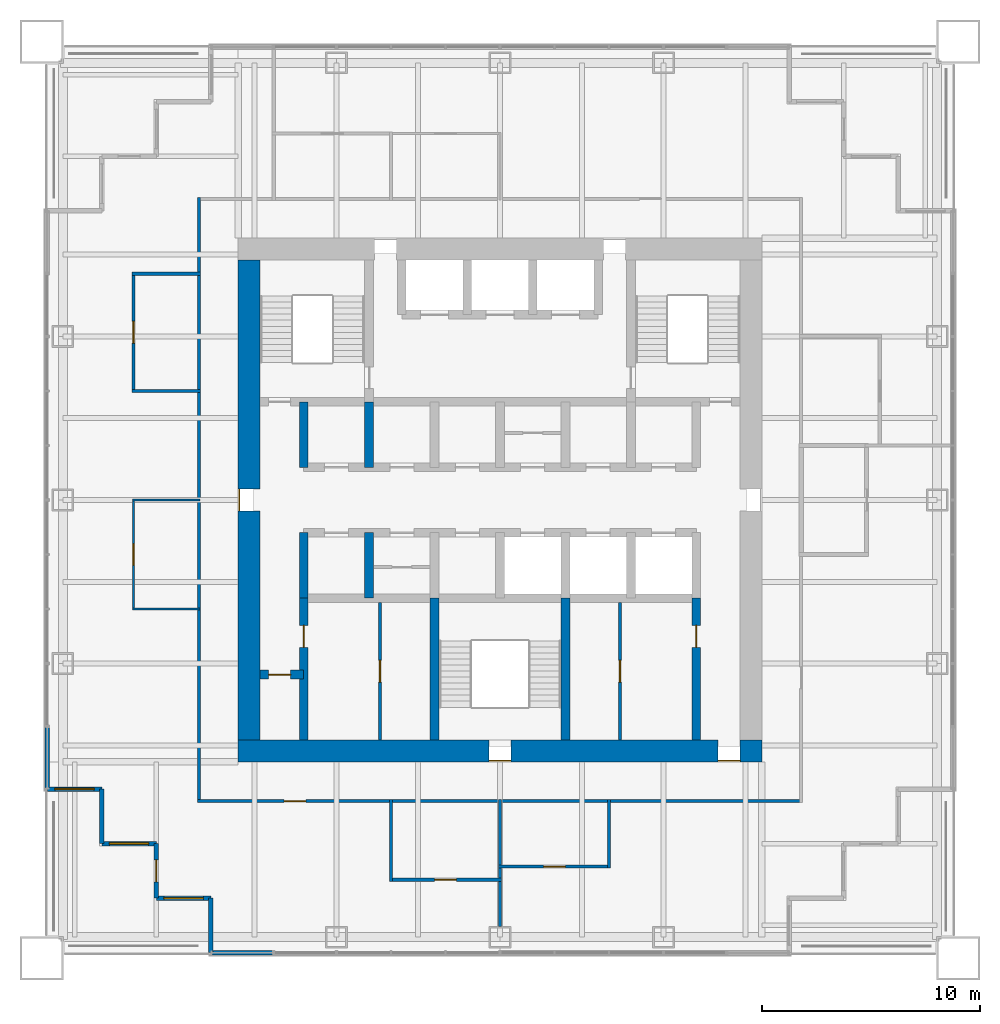
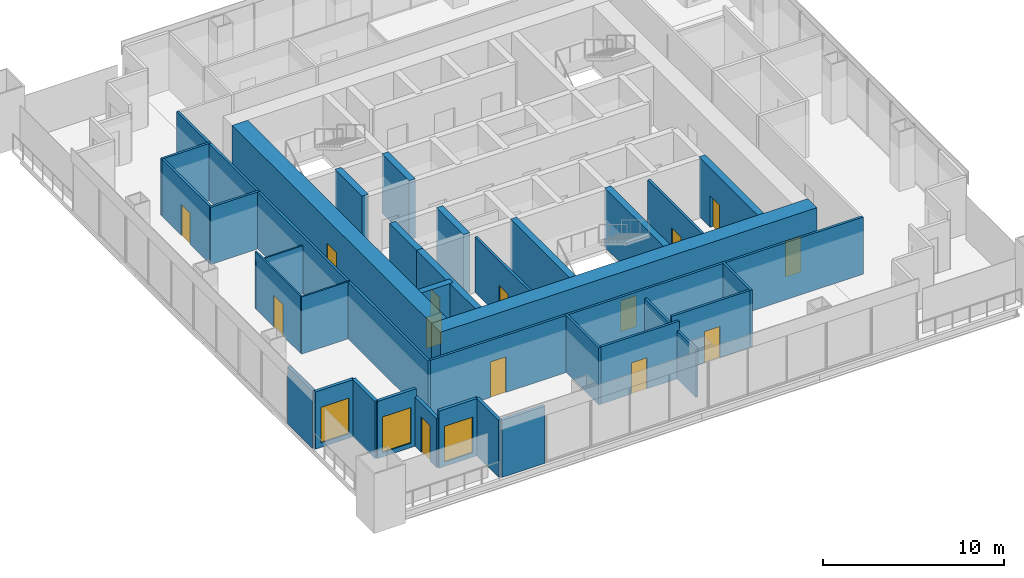
# One storey, part 9 of 14: 34 walls, 14 doors, 3 windows, 17 openings.
"""IFC4 building model written with IfcOpenShell, lengths in metres."""

from ifc_helpers import new_model, si_unit, direction, frame, frame_2d, origin, place, context, subcontext, project, spatial, rectangle, extrude, material, layer, layer_set, type_object, element, fill, save


model = new_model("IFC4")

# Units and contexts
model_context = context("Model", 3, precision=1e-05, world=origin(), true_north=direction((0.0, 1.0)))
body_context = subcontext(model_context, "Body", "Model", "MODEL_VIEW")
ifc_project = project(units=[si_unit("LENGTHUNIT", "METRE"), si_unit("AREAUNIT", "SQUARE_METRE"), si_unit("VOLUMEUNIT", "CUBIC_METRE"), si_unit("PLANEANGLEUNIT", "RADIAN"), si_unit("MASSUNIT", "GRAM", prefix="KILO")], contexts=[model_context])

# Site, building, storey
site_placement = place(None, origin())
site = spatial("IfcSite", under=ifc_project, at=site_placement, CompositionType="ELEMENT")
building_placement = place(site_placement, origin())
building = spatial("IfcBuilding", under=site, at=building_placement, Name="Tarangal Relay Tower", CompositionType="ELEMENT")
storey_placement = place(building_placement, frame((0.0, 0.0, 263.89990234375)))
storey = spatial("IfcBuildingStorey", under=building, at=storey_placement, Name="L57", CompositionType="ELEMENT", Elevation=263.89990234375)

# Wall, opening, door
ifc_material_1 = material(Name="Concrete fc' 60 MPa", Category="concrete")
ifc_layer_1 = layer(ifc_material_1, 0.39990234375)
ifc_layer_set_1 = layer_set([ifc_layer_1], Name="Core inner wall 400")
wall_type_1 = type_object("IfcWallType", Name="Core inner wall 400", PredefinedType="SHEAR", material=ifc_layer_set_1)
wall_1_placement = place(storey_placement, frame((-11.0, -8.0, 0.0), z_axis=(0.0, 0.0, 1.0), x_axis=(1.0, 0.0, 0.0)))
wall_1 = element("IfcWall", 1, at=wall_1_placement, inside=storey, type_object=wall_type_1, Name="Core wall YM8 L57", PredefinedType="SHEAR", context=body_context, shape_type="SweptSolid", body=[
    extrude(rectangle(XDim=2.0, YDim=0.39990234375, at=frame_2d((1.0, 0.0))), origin(), (0.0, 0.0, 1.0), 4.0),
])
opening_1_placement = place(wall_1_placement, frame((0.39990234375, 0.0, 0.0)))
opening_1 = element("IfcOpeningElement", 2, at=opening_1_placement, cuts=wall_1, Name="Opening D1", PredefinedType="OPENING", context=body_context, shape_type="SweptSolid", body=[
    extrude(rectangle(XDim=1.0, YDim=2.10009765625, at=frame_2d((0.5, 1.050048828125))), frame((0.0, 0.2099609375, 0.0), z_axis=(0.0, -1.0, 0.0), x_axis=(1.0, 0.0, 0.0)), (0.0, 0.0, 1.0), 0.419921875),
])
ifc_material_2 = material(Name="Hardwood door", Category="wood")
door_type_1 = type_object("IfcDoorType", Name="WC door 1000 x 2100", OperationType="SINGLE_SWING_LEFT", PredefinedType="DOOR", material=ifc_material_2)
door_1_placement = place(opening_1_placement, origin())
door_1 = element("IfcDoor", 3, at=door_1_placement, inside=storey, type_object=door_type_1, Name="Accessible WC door L57", OperationType="SINGLE_SWING_LEFT", OverallHeight=2.10009765625, OverallWidth=1.0, PredefinedType="DOOR", context=body_context, shape_type="SweptSolid", body=[
    extrude(rectangle(XDim=1.0, YDim=2.10009765625, at=frame_2d((0.5, 1.050048828125))), frame((0.0, 0.02490234375, 0.0), z_axis=(0.0, -1.0, 0.0), x_axis=(1.0, 0.0, 0.0)), (0.0, 0.0, 1.0), 0.050048828125),
])
fill(opening_1, door_1)

# Walls
for number, where, z_axis, x_axis, name in (
    (4, (-9.0, 1.5, 0.0), (0.0, 0.0, 1.0), (0.0, 1.0, 0.0), "Core wall XM9N L57"),
    (5, (-9.0, -4.5, 0.0), (0.0, 0.0, 1.0), (0.0, 1.0, 0.0), "Core wall XM9S L57"),
    (6, (-6.0, 1.5, 0.0), (0.0, 0.0, 1.0), (0.0, 1.0, 0.0), "Core wall XM6N L57"),
    (7, (-6.0, -4.5, 0.0), (0.0, 0.0, 1.0), (0.0, 1.0, 0.0), "Core wall XM6S L57"),
):
    element("IfcWall", number, at=place(storey_placement, frame(where, z_axis=z_axis, x_axis=x_axis)), inside=storey, type_object=wall_type_1, Name=name, PredefinedType="SHEAR", context=body_context, shape_type="SweptSolid", body=[
        extrude(rectangle(XDim=3.0, YDim=0.39990234375, at=frame_2d((1.5, 0.0))), origin(), (0.0, 0.0, 1.0), 4.0),
    ])

# Wall, opening, door
wall_2_placement = place(storey_placement, frame((-9.0, -11.0, 0.0), z_axis=(0.0, 0.0, 1.0), x_axis=(0.0, 1.0, 0.0)))
wall_2 = element("IfcWall", 8, at=wall_2_placement, inside=storey, type_object=wall_type_1, Name="Core wall XM9W L57", PredefinedType="SHEAR", context=body_context, shape_type="SweptSolid", body=[
    extrude(rectangle(XDim=6.5, YDim=0.39990234375, at=frame_2d((3.25, 0.0))), origin(), (0.0, 0.0, 1.0), 4.0),
])
opening_2_placement = place(wall_2_placement, frame((4.25, 0.0, 0.0)))
opening_2 = element("IfcOpeningElement", 9, at=opening_2_placement, cuts=wall_2, Name="Opening D1", PredefinedType="OPENING", context=body_context, shape_type="SweptSolid", body=[
    extrude(rectangle(XDim=1.0, YDim=2.10009765625, at=frame_2d((0.5, 1.050048828125))), frame((0.0, 0.2099609375, 0.0), z_axis=(0.0, -1.0, 0.0), x_axis=(1.0, 0.0, 0.0)), (0.0, 0.0, 1.0), 0.419921875),
])
door_2_placement = place(opening_2_placement, origin())
door_2 = element("IfcDoor", 10, at=door_2_placement, inside=storey, type_object=door_type_1, Name="Male WC door L57", OperationType="SINGLE_SWING_LEFT", OverallHeight=2.10009765625, OverallWidth=1.0, PredefinedType="DOOR", context=body_context, shape_type="SweptSolid", body=[
    extrude(rectangle(XDim=1.0, YDim=2.10009765625, at=frame_2d((0.5, 1.050048828125))), frame((0.0, 0.02490234375, 0.0), z_axis=(0.0, -1.0, 0.0), x_axis=(1.0, 0.0, 0.0)), (0.0, 0.0, 1.0), 0.050048828125),
])
fill(opening_2, door_2)

wall_3_placement = place(storey_placement, frame((9.0, -11.0, 0.0), z_axis=(0.0, 0.0, 1.0), x_axis=(0.0, 1.0, 0.0)))
wall_3 = element("IfcWall", 11, at=wall_3_placement, inside=storey, type_object=wall_type_1, Name="Core wall X9W L57", PredefinedType="SHEAR", context=body_context, shape_type="SweptSolid", body=[
    extrude(rectangle(XDim=6.5, YDim=0.39990234375, at=frame_2d((3.25, 0.0))), origin(), (0.0, 0.0, 1.0), 4.0),
])
opening_3_placement = place(wall_3_placement, frame((4.25, 0.0, 0.0)))
opening_3 = element("IfcOpeningElement", 12, at=opening_3_placement, cuts=wall_3, Name="Opening D1", PredefinedType="OPENING", context=body_context, shape_type="SweptSolid", body=[
    extrude(rectangle(XDim=1.0, YDim=2.10009765625, at=frame_2d((0.5, 1.050048828125))), frame((0.0, 0.2099609375, 0.0), z_axis=(0.0, -1.0, 0.0), x_axis=(1.0, 0.0, 0.0)), (0.0, 0.0, 1.0), 0.419921875),
])
door_3_placement = place(opening_3_placement, origin())
door_3 = element("IfcDoor", 13, at=door_3_placement, inside=storey, type_object=door_type_1, Name="Female WC door L57", OperationType="SINGLE_SWING_LEFT", OverallHeight=2.10009765625, OverallWidth=1.0, PredefinedType="DOOR", context=body_context, shape_type="SweptSolid", body=[
    extrude(rectangle(XDim=1.0, YDim=2.10009765625, at=frame_2d((0.5, 1.050048828125))), frame((0.0, 0.02490234375, 0.0), z_axis=(0.0, -1.0, 0.0), x_axis=(1.0, 0.0, 0.0)), (0.0, 0.0, 1.0), 0.050048828125),
])
fill(opening_3, door_3)

# Walls
for number, where, z_axis, x_axis, name in (
    (14, (-3.0, -11.0, 0.0), (0.0, 0.0, 1.0), (0.0, 1.0, 0.0), "Core wall XM3W L57"),
    (15, (3.0, -11.0, 0.0), (0.0, 0.0, 1.0), (0.0, 1.0, 0.0), "Core wall X3W L57"),
):
    element("IfcWall", number, at=place(storey_placement, frame(where, z_axis=z_axis, x_axis=x_axis)), inside=storey, type_object=wall_type_1, Name=name, PredefinedType="SHEAR", context=body_context, shape_type="SweptSolid", body=[
        extrude(rectangle(XDim=6.5, YDim=0.39990234375, at=frame_2d((3.25, 0.0))), origin(), (0.0, 0.0, 1.0), 4.0),
    ])

# Wall, openings, doors
ifc_layer_2 = layer(ifc_material_1, 1.0)
ifc_layer_set_2 = layer_set([ifc_layer_2], Name="Core wall 1000")
wall_type_2 = type_object("IfcWallType", Name="Core wall 1000", PredefinedType="SHEAR", material=ifc_layer_set_2)
wall_4_placement = place(storey_placement, frame((12.0, -11.5, 0.0), z_axis=(0.0, 0.0, 1.0), x_axis=(-1.0, 0.0, 0.0)))
wall_4 = element("IfcWall", 16, at=wall_4_placement, inside=storey, type_object=wall_type_2, Name="Core wall S L57", PredefinedType="SHEAR", context=body_context, shape_type="SweptSolid", body=[
    extrude(rectangle(XDim=24.0, YDim=1.0, at=frame_2d((12.0, 0.0))), origin(), (0.0, 0.0, 1.0), 4.0),
])
opening_4_placement = place(wall_4_placement, frame((11.5, 0.0, 0.0)))
opening_4 = element("IfcOpeningElement", 17, at=opening_4_placement, cuts=wall_4, Name="Opening FD1", PredefinedType="OPENING", context=body_context, shape_type="SweptSolid", body=[
    extrude(rectangle(XDim=1.0, YDim=2.10009765625, at=frame_2d((0.5, 1.050048828125))), frame((0.0, 0.510009765625, 0.0), z_axis=(0.0, -1.0, 0.0), x_axis=(1.0, 0.0, 0.0)), (0.0, 0.0, 1.0), 1.02001953125),
])
opening_5_placement = place(wall_4_placement, frame((1.0, 0.0, 0.0)))
opening_5 = element("IfcOpeningElement", 18, at=opening_5_placement, cuts=wall_4, Name="Opening FD3", PredefinedType="OPENING", context=body_context, shape_type="SweptSolid", body=[
    extrude(rectangle(XDim=1.0, YDim=2.39990234375, at=frame_2d((0.5, 1.199951171875))), frame((0.0, 0.510009765625, 0.0), z_axis=(0.0, -1.0, 0.0), x_axis=(1.0, 0.0, 0.0)), (0.0, 0.0, 1.0), 1.02001953125),
])
ifc_material_3 = material(Name="Steel door with hardwood frame", Category="steel")
door_type_2 = type_object("IfcDoorType", Name="Fire door 1000 x 2100", OperationType="SINGLE_SWING_LEFT", PredefinedType="DOOR", material=ifc_material_3)
door_4_placement = place(opening_4_placement, origin())
door_4 = element("IfcDoor", 19, at=door_4_placement, inside=storey, type_object=door_type_2, Name="Stair ST-C door L57", OperationType="SINGLE_SWING_LEFT", OverallHeight=2.10009765625, OverallWidth=1.0, PredefinedType="DOOR", context=body_context, shape_type="SweptSolid", body=[
    extrude(rectangle(XDim=1.0, YDim=2.10009765625, at=frame_2d((0.5, 1.050048828125))), frame((0.0, 0.48486328125, 0.0), z_axis=(0.0, -1.0, 0.0), x_axis=(1.0, 0.0, 0.0)), (0.0, 0.0, 1.0), 0.050048828125),
])
fill(opening_4, door_4)
door_type_3 = type_object("IfcDoorType", Name="Fire door 1000 x 2400 core entry", OperationType="SINGLE_SWING_RIGHT", PredefinedType="DOOR", material=ifc_material_3)
door_5_placement = place(opening_5_placement, origin())
door_5 = element("IfcDoor", 20, at=door_5_placement, inside=storey, type_object=door_type_3, Name="Core entry door south east L57", OperationType="SINGLE_SWING_RIGHT", OverallHeight=2.39990234375, OverallWidth=1.0, PredefinedType="DOOR", context=body_context, shape_type="SweptSolid", body=[
    extrude(rectangle(XDim=1.0, YDim=2.39990234375, at=frame_2d((0.5, 1.199951171875))), frame((0.0, 0.48486328125, 0.0), z_axis=(0.0, -1.0, 0.0), x_axis=(1.0, 0.0, 0.0)), (0.0, 0.0, 1.0), 0.050048828125),
])
fill(opening_5, door_5)

# Wall, opening, door
wall_5_placement = place(storey_placement, frame((-11.5, -11.0, 0.0), z_axis=(0.0, 0.0, 1.0), x_axis=(0.0, 1.0, 0.0)))
wall_5 = element("IfcWall", 21, at=wall_5_placement, inside=storey, type_object=wall_type_2, Name="Core wall W L57", PredefinedType="SHEAR", context=body_context, shape_type="SweptSolid", body=[
    extrude(rectangle(XDim=22.0, YDim=1.0, at=frame_2d((11.0, 0.0))), origin(), (0.0, 0.0, 1.0), 4.0),
])
opening_6_placement = place(wall_5_placement, frame((10.5, 0.0, 0.0)))
opening_6 = element("IfcOpeningElement", 22, at=opening_6_placement, cuts=wall_5, Name="Opening FD3", PredefinedType="OPENING", context=body_context, shape_type="SweptSolid", body=[
    extrude(rectangle(XDim=1.0, YDim=2.39990234375, at=frame_2d((0.5, 1.199951171875))), frame((0.0, 0.510009765625, 0.0), z_axis=(0.0, -1.0, 0.0), x_axis=(1.0, 0.0, 0.0)), (0.0, 0.0, 1.0), 1.02001953125),
])
door_6_placement = place(opening_6_placement, origin())
door_6 = element("IfcDoor", 23, at=door_6_placement, inside=storey, type_object=door_type_3, Name="Core entry door west L57", OperationType="SINGLE_SWING_RIGHT", OverallHeight=2.39990234375, OverallWidth=1.0, PredefinedType="DOOR", context=body_context, shape_type="SweptSolid", body=[
    extrude(rectangle(XDim=1.0, YDim=2.39990234375, at=frame_2d((0.5, 1.199951171875))), frame((0.0, 0.48486328125, 0.0), z_axis=(0.0, -1.0, 0.0), x_axis=(1.0, 0.0, 0.0)), (0.0, 0.0, 1.0), 0.050048828125),
])
fill(opening_6, door_6)

# Wall
ifc_material_4 = material(Name="Black metal clad insulated wall", Category="steel")
ifc_layer_3 = layer(ifc_material_4, 0.199951171875)
ifc_layer_set_3 = layer_set([ifc_layer_3], Name="Corner wall metal clad 200")
wall_type_3 = type_object("IfcWallType", Name="Corner wall metal clad 200", PredefinedType="SOLIDWALL", material=ifc_layer_set_3)
wall_6_placement = place(storey_placement, frame((-13.25, -20.75, 0.0), z_axis=(0.0, 0.0, 1.0), x_axis=(0.0, 1.0, 0.0)))
element("IfcWall", 24, at=wall_6_placement, inside=storey, type_object=wall_type_3, Name="Facade wall S facade L57", PredefinedType="SOLIDWALL", context=body_context, shape_type="SweptSolid", body=[
    extrude(rectangle(XDim=2.5, YDim=0.199951171875, at=frame_2d((1.25, 0.0))), origin(), (0.0, 0.0, 1.0), 3.85009765625),
])

# Wall, opening, window
wall_7_placement = place(storey_placement, frame((-13.25, -18.25, 0.0), z_axis=(0.0, 0.0, 1.0), x_axis=(-1.0, 0.0, 0.0)))
wall_7 = element("IfcWall", 25, at=wall_7_placement, inside=storey, type_object=wall_type_3, Name="Facade wall S facade L57", PredefinedType="SOLIDWALL", context=body_context, shape_type="SweptSolid", body=[
    extrude(rectangle(XDim=2.5, YDim=0.199951171875, at=frame_2d((1.25, 0.0))), origin(), (0.0, 0.0, 1.0), 3.85009765625),
])
opening_7_placement = place(wall_7_placement, frame((0.35009765625, 0.0, 0.300048828125)))
opening_7 = element("IfcOpeningElement", 26, at=opening_7_placement, cuts=wall_7, Name="Opening WN2", PredefinedType="OPENING", context=body_context, shape_type="SweptSolid", body=[
    extrude(rectangle(XDim=1.800048828125, YDim=2.39990234375, at=frame_2d((0.89990234375, 1.199951171875))), frame((0.0, 0.10986328125, 0.0), z_axis=(0.0, -1.0, 0.0), x_axis=(1.0, 0.0, 0.0)), (0.0, 0.0, 1.0), 0.219970703125),
])
ifc_material_5 = material(Name="Dark tinted double glazing in black aluminium frame", Category="aluminium")
window_type = type_object("IfcWindowType", Name="Corner window 1800 x 2400", PartitioningType="SINGLE_PANEL", PredefinedType="WINDOW", material=ifc_material_5)
window_1_placement = place(opening_7_placement, origin())
window_1 = element("IfcWindow", 27, at=window_1_placement, inside=storey, type_object=window_type, Name="Corner window WN2 S facade L57", OverallHeight=2.39990234375, OverallWidth=1.800048828125, PartitioningType="SINGLE_PANEL", PredefinedType="WINDOW", context=body_context, shape_type="SweptSolid", body=[
    extrude(rectangle(XDim=1.800048828125, YDim=2.39990234375, at=frame_2d((0.89990234375, 1.199951171875))), frame((0.0, 0.030029296875, 0.0), z_axis=(0.0, -1.0, 0.0), x_axis=(1.0, 0.0, 0.0)), (0.0, 0.0, 1.0), 0.06005859375),
])
fill(opening_7, window_1)

# Wall, opening, door
wall_8_placement = place(storey_placement, frame((-15.75, -18.25, 0.0), z_axis=(0.0, 0.0, 1.0), x_axis=(0.0, 1.0, 0.0)))
wall_8 = element("IfcWall", 28, at=wall_8_placement, inside=storey, type_object=wall_type_3, Name="Facade wall S facade L57", PredefinedType="SOLIDWALL", context=body_context, shape_type="SweptSolid", body=[
    extrude(rectangle(XDim=2.5, YDim=0.199951171875, at=frame_2d((1.25, 0.0))), origin(), (0.0, 0.0, 1.0), 3.316650390625),
])
opening_8_placement = place(wall_8_placement, frame((0.75, 0.0, 0.0)))
opening_8 = element("IfcOpeningElement", 29, at=opening_8_placement, cuts=wall_8, Name="Opening TD1", PredefinedType="OPENING", context=body_context, shape_type="SweptSolid", body=[
    extrude(rectangle(XDim=1.0, YDim=2.39990234375, at=frame_2d((0.5, 1.199951171875))), frame((0.0, 0.10986328125, 0.0), z_axis=(0.0, -1.0, 0.0), x_axis=(1.0, 0.0, 0.0)), (0.0, 0.0, 1.0), 0.219970703125),
])
ifc_material_6 = material(Name="Aluminium glazed door", Category="aluminium")
door_type_4 = type_object("IfcDoorType", Name="Terrace door 1000 x 2400", OperationType="SINGLE_SWING_RIGHT", PredefinedType="DOOR", material=ifc_material_6)
door_7_placement = place(opening_8_placement, origin())
door_7 = element("IfcDoor", 30, at=door_7_placement, inside=storey, type_object=door_type_4, Name="Terrace door TD1 SW L57", OperationType="SINGLE_SWING_RIGHT", OverallHeight=2.39990234375, OverallWidth=1.0, PredefinedType="DOOR", context=body_context, shape_type="SweptSolid", body=[
    extrude(rectangle(XDim=1.0, YDim=2.39990234375, at=frame_2d((0.5, 1.199951171875))), frame((0.0, 0.02490234375, 0.0), z_axis=(0.0, -1.0, 0.0), x_axis=(1.0, 0.0, 0.0)), (0.0, 0.0, 1.0), 0.050048828125),
])
fill(opening_8, door_7)

# Wall, opening, window
wall_9_placement = place(storey_placement, frame((-15.75, -15.75, 0.0), z_axis=(0.0, 0.0, 1.0), x_axis=(-1.0, 0.0, 0.0)))
wall_9 = element("IfcWall", 31, at=wall_9_placement, inside=storey, type_object=wall_type_3, Name="Facade wall S facade L57", PredefinedType="SOLIDWALL", context=body_context, shape_type="SweptSolid", body=[
    extrude(rectangle(XDim=2.5, YDim=0.199951171875, at=frame_2d((1.25, 0.0))), origin(), (0.0, 0.0, 1.0), 3.85009765625),
])
opening_9_placement = place(wall_9_placement, frame((0.35009765625, 0.0, 0.300048828125)))
opening_9 = element("IfcOpeningElement", 32, at=opening_9_placement, cuts=wall_9, Name="Opening WN2", PredefinedType="OPENING", context=body_context, shape_type="SweptSolid", body=[
    extrude(rectangle(XDim=1.800048828125, YDim=2.39990234375, at=frame_2d((0.89990234375, 1.199951171875))), frame((0.0, 0.10986328125, 0.0), z_axis=(0.0, -1.0, 0.0), x_axis=(1.0, 0.0, 0.0)), (0.0, 0.0, 1.0), 0.219970703125),
])
window_2_placement = place(opening_9_placement, origin())
window_2 = element("IfcWindow", 33, at=window_2_placement, inside=storey, type_object=window_type, Name="Corner window WN2 S facade L57", OverallHeight=2.39990234375, OverallWidth=1.800048828125, PartitioningType="SINGLE_PANEL", PredefinedType="WINDOW", context=body_context, shape_type="SweptSolid", body=[
    extrude(rectangle(XDim=1.800048828125, YDim=2.39990234375, at=frame_2d((0.89990234375, 1.199951171875))), frame((0.0, 0.030029296875, 0.0), z_axis=(0.0, -1.0, 0.0), x_axis=(1.0, 0.0, 0.0)), (0.0, 0.0, 1.0), 0.06005859375),
])
fill(opening_9, window_2)

# Wall
wall_10_placement = place(storey_placement, frame((-18.25, -15.75, 0.0), z_axis=(0.0, 0.0, 1.0), x_axis=(0.0, 1.0, 0.0)))
element("IfcWall", 34, at=wall_10_placement, inside=storey, type_object=wall_type_3, Name="Facade wall S facade L57", PredefinedType="SOLIDWALL", context=body_context, shape_type="SweptSolid", body=[
    extrude(rectangle(XDim=2.5, YDim=0.199951171875, at=frame_2d((1.25, 0.0))), origin(), (0.0, 0.0, 1.0), 3.85009765625),
])

# Wall, opening, window
wall_11_placement = place(storey_placement, frame((-18.25, -13.25, 0.0), z_axis=(0.0, 0.0, 1.0), x_axis=(-1.0, 0.0, 0.0)))
wall_11 = element("IfcWall", 35, at=wall_11_placement, inside=storey, type_object=wall_type_3, Name="Facade wall S facade L57", PredefinedType="SOLIDWALL", context=body_context, shape_type="SweptSolid", body=[
    extrude(rectangle(XDim=2.5, YDim=0.199951171875, at=frame_2d((1.25, 0.0))), origin(), (0.0, 0.0, 1.0), 3.85009765625),
])
opening_10_placement = place(wall_11_placement, frame((0.35009765625, 0.0, 0.300048828125)))
opening_10 = element("IfcOpeningElement", 36, at=opening_10_placement, cuts=wall_11, Name="Opening WN2", PredefinedType="OPENING", context=body_context, shape_type="SweptSolid", body=[
    extrude(rectangle(XDim=1.800048828125, YDim=2.39990234375, at=frame_2d((0.89990234375, 1.199951171875))), frame((0.0, 0.10986328125, 0.0), z_axis=(0.0, -1.0, 0.0), x_axis=(1.0, 0.0, 0.0)), (0.0, 0.0, 1.0), 0.219970703125),
])
window_3_placement = place(opening_10_placement, origin())
window_3 = element("IfcWindow", 37, at=window_3_placement, inside=storey, type_object=window_type, Name="Corner window WN2 S facade L57", OverallHeight=2.39990234375, OverallWidth=1.800048828125, PartitioningType="SINGLE_PANEL", PredefinedType="WINDOW", context=body_context, shape_type="SweptSolid", body=[
    extrude(rectangle(XDim=1.800048828125, YDim=2.39990234375, at=frame_2d((0.89990234375, 1.199951171875))), frame((0.0, 0.030029296875, 0.0), z_axis=(0.0, -1.0, 0.0), x_axis=(1.0, 0.0, 0.0)), (0.0, 0.0, 1.0), 0.06005859375),
])
fill(opening_10, window_3)

# Walls
ifc_layer_4 = layer(ifc_material_4, 0.199951171875)
ifc_layer_set_4 = layer_set([ifc_layer_4], Name="Facade infill wall metal clad 200")
wall_type_4 = type_object("IfcWallType", Name="Facade infill wall metal clad 200", PredefinedType="SOLIDWALL", material=ifc_layer_set_4)
for number, where, z_axis, x_axis, name in (
    (38, (-10.43505859375, -20.75, 0.0), (0.0, 0.0, 1.0), (-1.0, 0.0, 0.0), "Facade infill wall S facade L57 1.1"),
    (39, (-20.75, -13.18994140625, 0.0), (0.0, 0.0, 1.0), (0.0, 1.0, 0.0), "Facade infill wall W facade L57 1.1"),
):
    element("IfcWall", number, at=place(storey_placement, frame(where, z_axis=z_axis, x_axis=x_axis)), inside=storey, type_object=wall_type_4, Name=name, PredefinedType="SOLIDWALL", context=body_context, shape_type="SweptSolid", body=[
        extrude(rectangle(XDim=2.7548828125, YDim=0.199951171875, at=frame_2d((1.37744140625, 0.0))), origin(), (0.0, 0.0, 1.0), 3.85009765625),
    ])
ifc_material_7 = material(Name="Double glazed aluminium framed partition", Category="aluminium")
ifc_layer_5 = layer(ifc_material_7, 0.10009765625)
ifc_layer_set_5 = layer_set([ifc_layer_5], Name="Glazed partition 100")
wall_type_5 = type_object("IfcWallType", Name="Glazed partition 100", PredefinedType="PARTITIONING", material=ifc_layer_set_5)
wall_12_placement = place(storey_placement, frame((-16.85009765625, -5.0, 0.0), z_axis=(0.0, 0.0, 1.0), x_axis=(1.0, 0.0, 0.0)))
element("IfcWall", 40, at=wall_12_placement, inside=storey, type_object=wall_type_5, Name="Partition PT3 L57", PredefinedType="PARTITIONING", context=body_context, shape_type="SweptSolid", body=[
    extrude(rectangle(XDim=3.10009765625, YDim=0.10009765625, at=frame_2d((1.550048828125, 0.0))), origin(), (0.0, 0.0, 1.0), 3.85009765625),
])
wall_13_placement = place(storey_placement, frame((-16.85009765625, 0.0, 0.0), z_axis=(0.0, 0.0, 1.0), x_axis=(1.0, 0.0, 0.0)))
element("IfcWall", 41, at=wall_13_placement, inside=storey, type_object=wall_type_5, Name="Partition PT3 L57", PredefinedType="PARTITIONING", context=body_context, shape_type="SweptSolid", body=[
    extrude(rectangle(XDim=3.10009765625, YDim=0.10009765625, at=frame_2d((1.550048828125, 0.0))), origin(), (0.0, 0.0, 1.0), 3.2431640625),
])

# Wall, opening, door
wall_14_placement = place(storey_placement, frame((-16.800048828125, -5.050048828125, 0.0), z_axis=(0.0, 0.0, 1.0), x_axis=(0.0, 1.0, 0.0)))
wall_14 = element("IfcWall", 42, at=wall_14_placement, inside=storey, type_object=wall_type_5, Name="Partition PT3 L57", PredefinedType="PARTITIONING", context=body_context, shape_type="SweptSolid", body=[
    extrude(rectangle(XDim=5.10009765625, YDim=0.10009765625, at=frame_2d((2.550048828125, 0.0))), origin(), (0.0, 0.0, 1.0), 3.85009765625),
])
opening_11_placement = place(wall_14_placement, frame((2.050048828125, 0.0, 0.0)))
opening_11 = element("IfcOpeningElement", 43, at=opening_11_placement, cuts=wall_14, Name="Opening D3", PredefinedType="OPENING", context=body_context, shape_type="SweptSolid", body=[
    extrude(rectangle(XDim=1.0, YDim=2.10009765625, at=frame_2d((0.5, 1.050048828125))), frame((0.0, 0.06005859375, 0.0), z_axis=(0.0, -1.0, 0.0), x_axis=(1.0, 0.0, 0.0)), (0.0, 0.0, 1.0), 0.1201171875),
])
ifc_material_8 = material(Name="Frameless glass door", Category="glass")
door_type_5 = type_object("IfcDoorType", Name="Glazed door 1000 x 2100", OperationType="SINGLE_SWING_LEFT", PredefinedType="DOOR", material=ifc_material_8)
door_8_placement = place(opening_11_placement, origin())
door_8 = element("IfcDoor", 44, at=door_8_placement, inside=storey, type_object=door_type_5, Name="Door D3 to meeting room L57-08", OperationType="SINGLE_SWING_LEFT", OverallHeight=2.10009765625, OverallWidth=1.0, PredefinedType="DOOR", context=body_context, shape_type="SweptSolid", body=[
    extrude(rectangle(XDim=1.0, YDim=2.10009765625, at=frame_2d((0.5, 1.050048828125))), frame((0.0, 0.02490234375, 0.0), z_axis=(0.0, -1.0, 0.0), x_axis=(1.0, 0.0, 0.0)), (0.0, 0.0, 1.0), 0.050048828125),
])
fill(opening_11, door_8)

ifc_material_9 = material(Name="Gypsum board on steel studs", Category="steel")
ifc_layer_6 = layer(ifc_material_9, 0.14990234375)
ifc_layer_set_6 = layer_set([ifc_layer_6], Name="Partition 150")
wall_type_6 = type_object("IfcWallType", Name="Partition 150", PredefinedType="PARTITIONING", material=ifc_layer_set_6)
wall_15_placement = place(storey_placement, frame((-5.074951171875, -17.39990234375, 0.0), z_axis=(0.0, 0.0, 1.0), x_axis=(1.0, 0.0, 0.0)))
wall_15 = element("IfcWall", 45, at=wall_15_placement, inside=storey, type_object=wall_type_6, Name="Partition PT1 L57", PredefinedType="PARTITIONING", context=body_context, shape_type="SweptSolid", body=[
    extrude(rectangle(XDim=5.14990234375, YDim=0.14990234375, at=frame_2d((2.574951171875, 0.0))), origin(), (0.0, 0.0, 1.0), 3.85009765625),
])
opening_12_placement = place(wall_15_placement, frame((2.074951171875, 0.0, 0.0)))
opening_12 = element("IfcOpeningElement", 46, at=opening_12_placement, cuts=wall_15, Name="Opening D2", PredefinedType="OPENING", context=body_context, shape_type="SweptSolid", body=[
    extrude(rectangle(XDim=1.0, YDim=2.10009765625, at=frame_2d((0.5, 1.050048828125))), frame((0.0, 0.0849609375, 0.0), z_axis=(0.0, -1.0, 0.0), x_axis=(1.0, 0.0, 0.0)), (0.0, 0.0, 1.0), 0.169921875),
])
door_type_6 = type_object("IfcDoorType", Name="Door 1000 x 2100", OperationType="SINGLE_SWING_LEFT", PredefinedType="DOOR", material=ifc_material_2)
door_9_placement = place(opening_12_placement, origin())
door_9 = element("IfcDoor", 47, at=door_9_placement, inside=storey, type_object=door_type_6, Name="Door D2 to tea pantry L57-07", OperationType="SINGLE_SWING_LEFT", OverallHeight=2.10009765625, OverallWidth=1.0, PredefinedType="DOOR", context=body_context, shape_type="SweptSolid", body=[
    extrude(rectangle(XDim=1.0, YDim=2.10009765625, at=frame_2d((0.5, 1.050048828125))), frame((0.0, 0.02490234375, 0.0), z_axis=(0.0, -1.0, 0.0), x_axis=(1.0, 0.0, 0.0)), (0.0, 0.0, 1.0), 0.050048828125),
])
fill(opening_12, door_9)

wall_16_placement = place(storey_placement, frame((-0.074951171875, -16.800048828125, 0.0), z_axis=(0.0, 0.0, 1.0), x_axis=(1.0, 0.0, 0.0)))
wall_16 = element("IfcWall", 48, at=wall_16_placement, inside=storey, type_object=wall_type_6, Name="Partition PT1 L57", PredefinedType="PARTITIONING", context=body_context, shape_type="SweptSolid", body=[
    extrude(rectangle(XDim=5.14990234375, YDim=0.14990234375, at=frame_2d((2.574951171875, 0.0))), origin(), (0.0, 0.0, 1.0), 3.85009765625),
])
opening_13_placement = place(wall_16_placement, frame((2.074951171875, 0.0, 0.0)))
opening_13 = element("IfcOpeningElement", 49, at=opening_13_placement, cuts=wall_16, Name="Opening D2", PredefinedType="OPENING", context=body_context, shape_type="SweptSolid", body=[
    extrude(rectangle(XDim=1.0, YDim=2.10009765625, at=frame_2d((0.5, 1.050048828125))), frame((0.0, 0.0849609375, 0.0), z_axis=(0.0, -1.0, 0.0), x_axis=(1.0, 0.0, 0.0)), (0.0, 0.0, 1.0), 0.169921875),
])
door_10_placement = place(opening_13_placement, origin())
door_10 = element("IfcDoor", 50, at=door_10_placement, inside=storey, type_object=door_type_6, Name="Door D2 to cellular office L57-06", OperationType="SINGLE_SWING_LEFT", OverallHeight=2.10009765625, OverallWidth=1.0, PredefinedType="DOOR", context=body_context, shape_type="SweptSolid", body=[
    extrude(rectangle(XDim=1.0, YDim=2.10009765625, at=frame_2d((0.5, 1.050048828125))), frame((0.0, 0.02490234375, 0.0), z_axis=(0.0, -1.0, 0.0), x_axis=(1.0, 0.0, 0.0)), (0.0, 0.0, 1.0), 0.050048828125),
])
fill(opening_13, door_10)

wall_17_placement = place(storey_placement, frame((-13.875, -13.800048828125, 0.0), z_axis=(0.0, 0.0, 1.0), x_axis=(1.0, 0.0, 0.0)))
wall_17 = element("IfcWall", 51, at=wall_17_placement, inside=storey, type_object=wall_type_6, Name="Partition PT1 L57", PredefinedType="PARTITIONING", context=body_context, shape_type="SweptSolid", body=[
    extrude(rectangle(XDim=27.75, YDim=0.14990234375, at=frame_2d((13.875, 0.0))), origin(), (0.0, 0.0, 1.0), 3.85009765625),
])
opening_14_placement = place(wall_17_placement, frame((3.97509765625, 0.0, 0.0)))
opening_14 = element("IfcOpeningElement", 52, at=opening_14_placement, cuts=wall_17, Name="Opening SD1", PredefinedType="OPENING", context=body_context, shape_type="SweptSolid", body=[
    extrude(rectangle(XDim=1.0, YDim=2.39990234375, at=frame_2d((0.5, 1.199951171875))), frame((0.0, 0.0849609375, 0.0), z_axis=(0.0, -1.0, 0.0), x_axis=(1.0, 0.0, 0.0)), (0.0, 0.0, 1.0), 0.169921875),
])
door_type_7 = type_object("IfcDoorType", Name="Suite entrance door 1000 x 2400", OperationType="SINGLE_SWING_RIGHT", PredefinedType="DOOR", material=ifc_material_3)
door_11_placement = place(opening_14_placement, origin())
door_11 = element("IfcDoor", 53, at=door_11_placement, inside=storey, type_object=door_type_7, Name="Door SD1 to open plan office L57-12", OperationType="SINGLE_SWING_RIGHT", OverallHeight=2.39990234375, OverallWidth=1.0, PredefinedType="DOOR", context=body_context, shape_type="SweptSolid", body=[
    extrude(rectangle(XDim=1.0, YDim=2.39990234375, at=frame_2d((0.5, 1.199951171875))), frame((0.0, 0.02490234375, 0.0), z_axis=(0.0, -1.0, 0.0), x_axis=(1.0, 0.0, 0.0)), (0.0, 0.0, 1.0), 0.050048828125),
])
fill(opening_14, door_11)

# Walls
for number, where, z_axis, x_axis, name in (
    (54, (-16.875, 5.0, 0.0), (0.0, 0.0, 1.0), (1.0, 0.0, 0.0), "Partition PT1 L57"),
    (55, (-16.875, 10.375, 0.0), (0.0, 0.0, 1.0), (1.0, 0.0, 0.0), "Partition PT1 L57"),
):
    element("IfcWall", number, at=place(storey_placement, frame(where, z_axis=z_axis, x_axis=x_axis)), inside=storey, type_object=wall_type_6, Name=name, PredefinedType="PARTITIONING", context=body_context, shape_type="SweptSolid", body=[
        extrude(rectangle(XDim=3.14990234375, YDim=0.14990234375, at=frame_2d((1.574951171875, 0.0))), origin(), (0.0, 0.0, 1.0), 3.85009765625),
    ])

# Wall, opening, door
wall_18_placement = place(storey_placement, frame((-16.800048828125, 4.925048828125, 0.0), z_axis=(0.0, 0.0, 1.0), x_axis=(0.0, 1.0, 0.0)))
wall_18 = element("IfcWall", 56, at=wall_18_placement, inside=storey, type_object=wall_type_6, Name="Partition PT1 L57", PredefinedType="PARTITIONING", context=body_context, shape_type="SweptSolid", body=[
    extrude(rectangle(XDim=5.52490234375, YDim=0.14990234375, at=frame_2d((2.762451171875, 0.0))), origin(), (0.0, 0.0, 1.0), 3.85009765625),
])
opening_15_placement = place(wall_18_placement, frame((2.262451171875, 0.0, 0.0)))
opening_15 = element("IfcOpeningElement", 57, at=opening_15_placement, cuts=wall_18, Name="Opening D2", PredefinedType="OPENING", context=body_context, shape_type="SweptSolid", body=[
    extrude(rectangle(XDim=1.0, YDim=2.10009765625, at=frame_2d((0.5, 1.050048828125))), frame((0.0, 0.0849609375, 0.0), z_axis=(0.0, -1.0, 0.0), x_axis=(1.0, 0.0, 0.0)), (0.0, 0.0, 1.0), 0.169921875),
])
door_12_placement = place(opening_15_placement, origin())
door_12 = element("IfcDoor", 58, at=door_12_placement, inside=storey, type_object=door_type_6, Name="Door D2 to cellular office L57-09", OperationType="SINGLE_SWING_LEFT", OverallHeight=2.10009765625, OverallWidth=1.0, PredefinedType="DOOR", context=body_context, shape_type="SweptSolid", body=[
    extrude(rectangle(XDim=1.0, YDim=2.10009765625, at=frame_2d((0.5, 1.050048828125))), frame((0.0, 0.02490234375, 0.0), z_axis=(0.0, -1.0, 0.0), x_axis=(1.0, 0.0, 0.0)), (0.0, 0.0, 1.0), 0.050048828125),
])
fill(opening_15, door_12)

# Walls
wall_19_placement = place(storey_placement, frame((-13.800048828125, -13.875, 0.0), z_axis=(0.0, 0.0, 1.0), x_axis=(0.0, 1.0, 0.0)))
element("IfcWall", 59, at=wall_19_placement, inside=storey, type_object=wall_type_6, Name="Partition PT1 L57", PredefinedType="PARTITIONING", context=body_context, shape_type="SweptSolid", body=[
    extrude(rectangle(XDim=27.75, YDim=0.14990234375, at=frame_2d((13.875, 0.0))), origin(), (0.0, 0.0, 1.0), 3.85009765625),
])
wall_20_placement = place(storey_placement, frame((-5.0, -17.47509765625, 0.0), z_axis=(0.0, 0.0, 1.0), x_axis=(0.0, 1.0, 0.0)))
element("IfcWall", 60, at=wall_20_placement, inside=storey, type_object=wall_type_6, Name="Partition PT1 L57", PredefinedType="PARTITIONING", context=body_context, shape_type="SweptSolid", body=[
    extrude(rectangle(XDim=3.75, YDim=0.14990234375, at=frame_2d((1.875, 0.0))), origin(), (0.0, 0.0, 1.0), 3.85009765625),
])
wall_21_placement = place(storey_placement, frame((0.0, -19.5400390625, 0.0), z_axis=(0.0, 0.0, 1.0), x_axis=(0.0, 1.0, 0.0)))
element("IfcWall", 61, at=wall_21_placement, inside=storey, type_object=wall_type_6, Name="Partition PT1 L57", PredefinedType="PARTITIONING", context=body_context, shape_type="SweptSolid", body=[
    extrude(rectangle(XDim=5.81494140625, YDim=0.14990234375, at=frame_2d((2.907470703125, 0.0))), origin(), (0.0, 0.0, 1.0), 3.2431640625),
])
wall_22_placement = place(storey_placement, frame((5.0, -16.875, 0.0), z_axis=(0.0, 0.0, 1.0), x_axis=(0.0, 1.0, 0.0)))
element("IfcWall", 62, at=wall_22_placement, inside=storey, type_object=wall_type_6, Name="Partition PT1 L57", PredefinedType="PARTITIONING", context=body_context, shape_type="SweptSolid", body=[
    extrude(rectangle(XDim=3.14990234375, YDim=0.14990234375, at=frame_2d((1.574951171875, 0.0))), origin(), (0.0, 0.0, 1.0), 3.85009765625),
])

# Wall, opening, door
wall_23_placement = place(storey_placement, frame((-5.5, -11.0, 0.0), z_axis=(0.0, 0.0, 1.0), x_axis=(0.0, 1.0, 0.0)))
wall_23 = element("IfcWall", 63, at=wall_23_placement, inside=storey, type_object=wall_type_6, Name="Partition PT1 L57", PredefinedType="PARTITIONING", context=body_context, shape_type="SweptSolid", body=[
    extrude(rectangle(XDim=6.300048828125, YDim=0.14990234375, at=frame_2d((3.14990234375, 0.0))), origin(), (0.0, 0.0, 1.0), 3.75),
])
opening_16_placement = place(wall_23_placement, frame((2.64990234375, 0.0, 0.0)))
opening_16 = element("IfcOpeningElement", 64, at=opening_16_placement, cuts=wall_23, Name="Opening D1", PredefinedType="OPENING", context=body_context, shape_type="SweptSolid", body=[
    extrude(rectangle(XDim=1.0, YDim=2.10009765625, at=frame_2d((0.5, 1.050048828125))), frame((0.0, 0.0849609375, 0.0), z_axis=(0.0, -1.0, 0.0), x_axis=(1.0, 0.0, 0.0)), (0.0, 0.0, 1.0), 0.169921875),
])
door_13_placement = place(opening_16_placement, origin())
door_13 = element("IfcDoor", 65, at=door_13_placement, inside=storey, type_object=door_type_1, Name="Door D1 to male shower and changing room L57-C7B", OperationType="SINGLE_SWING_LEFT", OverallHeight=2.10009765625, OverallWidth=1.0, PredefinedType="DOOR", context=body_context, shape_type="SweptSolid", body=[
    extrude(rectangle(XDim=1.0, YDim=2.10009765625, at=frame_2d((0.5, 1.050048828125))), frame((0.0, 0.02490234375, 0.0), z_axis=(0.0, -1.0, 0.0), x_axis=(1.0, 0.0, 0.0)), (0.0, 0.0, 1.0), 0.050048828125),
])
fill(opening_16, door_13)

wall_24_placement = place(storey_placement, frame((5.5, -11.0, 0.0), z_axis=(0.0, 0.0, 1.0), x_axis=(0.0, 1.0, 0.0)))
wall_24 = element("IfcWall", 66, at=wall_24_placement, inside=storey, type_object=wall_type_6, Name="Partition PT1 L57", PredefinedType="PARTITIONING", context=body_context, shape_type="SweptSolid", body=[
    extrude(rectangle(XDim=6.300048828125, YDim=0.14990234375, at=frame_2d((3.14990234375, 0.0))), origin(), (0.0, 0.0, 1.0), 3.75),
])
opening_17_placement = place(wall_24_placement, frame((2.64990234375, 0.0, 0.0)))
opening_17 = element("IfcOpeningElement", 67, at=opening_17_placement, cuts=wall_24, Name="Opening D1", PredefinedType="OPENING", context=body_context, shape_type="SweptSolid", body=[
    extrude(rectangle(XDim=1.0, YDim=2.10009765625, at=frame_2d((0.5, 1.050048828125))), frame((0.0, 0.0849609375, 0.0), z_axis=(0.0, -1.0, 0.0), x_axis=(1.0, 0.0, 0.0)), (0.0, 0.0, 1.0), 0.169921875),
])
door_14_placement = place(opening_17_placement, origin())
door_14 = element("IfcDoor", 68, at=door_14_placement, inside=storey, type_object=door_type_1, Name="Door D1 to female shower and changing room L57-C10B", OperationType="SINGLE_SWING_LEFT", OverallHeight=2.10009765625, OverallWidth=1.0, PredefinedType="DOOR", context=body_context, shape_type="SweptSolid", body=[
    extrude(rectangle(XDim=1.0, YDim=2.10009765625, at=frame_2d((0.5, 1.050048828125))), frame((0.0, 0.02490234375, 0.0), z_axis=(0.0, -1.0, 0.0), x_axis=(1.0, 0.0, 0.0)), (0.0, 0.0, 1.0), 0.050048828125),
])
fill(opening_17, door_14)

save(model, "model.ifc")
